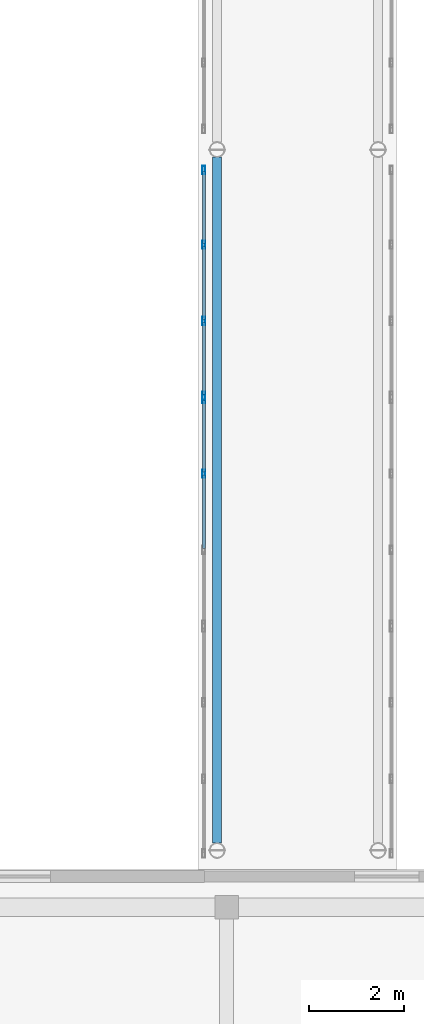
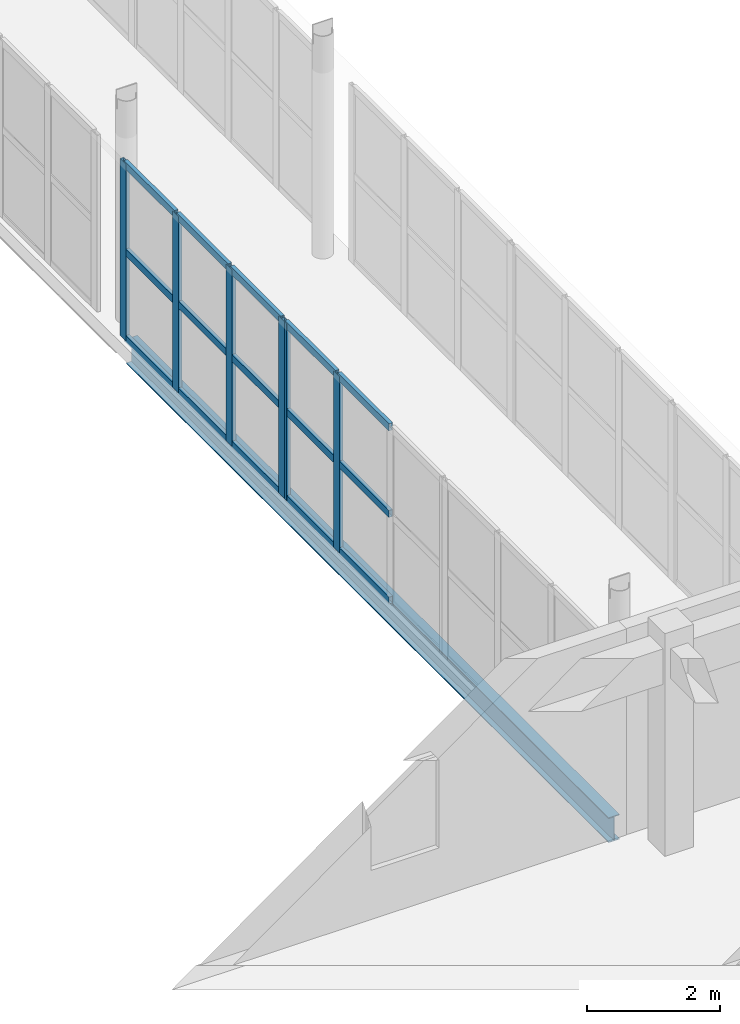
# One storey, part 15 of 52: 21 members, 1 beam, 2 elements without a shape of their own.
"""IFC4 building model written with IfcOpenShell, lengths in metres."""

from ifc_helpers import new_model, si_unit, direction, frame, origin, origin_2d, place, context, subcontext, project, spatial, hollow_rectangle, i_section, extrude, material, layer, layer_set, material_profile, profile_set, type_object, element, aggregate, save


model = new_model("IFC4")

# Units and contexts
model_context = context("Model", 3, precision=1e-05, world=origin(), true_north=direction((0.0, 1.0)))
body_context = subcontext(model_context, "Body", "Model", "MODEL_VIEW")
ifc_project = project(units=[si_unit("LENGTHUNIT", "METRE"), si_unit("AREAUNIT", "SQUARE_METRE"), si_unit("VOLUMEUNIT", "CUBIC_METRE"), si_unit("PLANEANGLEUNIT", "RADIAN"), si_unit("MASSUNIT", "GRAM", prefix="KILO")], contexts=[model_context])

# Site, building, storey
site_placement = place(None, origin())
site = spatial("IfcSite", under=ifc_project, at=site_placement, CompositionType="ELEMENT")
building_placement = place(site_placement, origin())
building = spatial("IfcBuilding", under=site, at=building_placement, Name="Valcora Specialist Clinic", CompositionType="ELEMENT")
storey_placement = place(building_placement, frame((0.0, 0.0, 17.679931640625)))
storey = spatial("IfcBuildingStorey", under=building, at=storey_placement, Name="L04", CompositionType="ELEMENT", Elevation=17.679931640625)

# Beam
ifc_material_1 = material(Name="Steel ASTM A992 Grade 50", Category="steel")
ifc_material_profile_1 = material_profile(ifc_material_1, i_section(OverallWidth=0.18994140625, OverallDepth=0.45703125, WebThickness=0.009033203125, FlangeThickness=0.014892578125, at=origin_2d()), Name="ST-IR-460X190")
ifc_profile_set_1 = profile_set([ifc_material_profile_1], Name="Steel ASTM A992 Grade 50")
beam_type = type_object("IfcBeamType", Name="TY-BG-IR460", PredefinedType="HOLLOWCORE", material=ifc_profile_set_1)
beam_placement = place(storey_placement, frame((61.60009765625, 23.360107421875, -0.482421875), z_axis=(0.0, 1.0, 0.0), x_axis=(-1.0, 0.0, 0.0)))
element("IfcBeam", 1, at=beam_placement, inside=storey, type_object=beam_type, Name="Bridge girder BM-L04-1630", PredefinedType="HOLLOWCORE", context=body_context, shape_type="SweptSolid", body=[
    extrude(i_section(OverallWidth=0.18994140625, OverallDepth=0.45703125, WebThickness=0.009033203125, FlangeThickness=0.014892578125, at=origin_2d()), origin(), (0.0, 0.0, 1.0), 14.47998046875),
])

# Curtain wall, members
ifc_material_2 = material(Name="Anodized Bronze Aluminium 6063-T6", Category="aluminium")
ifc_layer = layer(ifc_material_2, 0.175048828125)
ifc_layer_set = layer_set([ifc_layer], Name="Anodized Bronze Aluminium 6063-T6")
curtain_wall_type = type_object("IfcCurtainWallType", Name="TY-CW-BRG14", PredefinedType="NOTDEFINED", material=ifc_layer_set)
curtain_wall_1_placement = place(storey_placement, origin())
curtain_wall_1 = element("IfcCurtainWall", 2, at=curtain_wall_1_placement, inside=storey, type_object=curtain_wall_type, Name="Curtain wall CW-L04-268", PredefinedType="NOTDEFINED")
ifc_material_profile_2 = material_profile(ifc_material_2, hollow_rectangle(XDim=0.06494140625, YDim=0.175048828125, WallThickness=0.00390625, at=origin_2d()), Name="AL-MUL-65X175")
ifc_profile_set_2 = profile_set([ifc_material_profile_2], Name="Anodized Bronze Aluminium 6063-T6")
member_type_1 = type_object("IfcMemberType", Name="TY-CWM-65X175", PredefinedType="MULLION", material=ifc_profile_set_2)
member_1_placement = place(storey_placement, frame((61.320068359375, 31.155517578125, 0.0), z_axis=(0.0, 0.0, 1.0), x_axis=(-1.0, 0.0, 0.0)))
member_1 = element("IfcMember", 3, at=member_1_placement, type_object=member_type_1, Name="CW-BRG-14 mullion 3", PredefinedType="MULLION", context=body_context, shape_type="SweptSolid", body=[
    extrude(hollow_rectangle(XDim=0.06494140625, YDim=0.175048828125, WallThickness=0.00390625, at=origin_2d()), origin(), (0.0, 0.0, 1.0), 3.239990234375),
])
member_2_placement = place(storey_placement, frame((61.320068359375, 32.734130859375, 0.0), z_axis=(0.0, 0.0, 1.0), x_axis=(-1.0, 0.0, 0.0)))
member_2 = element("IfcMember", 4, at=member_2_placement, type_object=member_type_1, Name="CW-BRG-14 mullion 4", PredefinedType="MULLION", context=body_context, shape_type="SweptSolid", body=[
    extrude(hollow_rectangle(XDim=0.06494140625, YDim=0.175048828125, WallThickness=0.00390625, at=origin_2d()), origin(), (0.0, 0.0, 1.0), 3.239990234375),
])

curtain_wall_2_placement = place(storey_placement, origin())
curtain_wall_2 = element("IfcCurtainWall", 5, at=curtain_wall_2_placement, inside=storey, type_object=curtain_wall_type, Name="Curtain wall CW-L04-269", PredefinedType="NOTDEFINED")
member_3_placement = place(storey_placement, frame((61.320068359375, 32.79931640625, 0.0), z_axis=(0.0, 0.0, 1.0), x_axis=(-1.0, 0.0, 0.0)))
member_3 = element("IfcMember", 6, at=member_3_placement, type_object=member_type_1, Name="CW-BRG-14 mullion 1", PredefinedType="MULLION", context=body_context, shape_type="SweptSolid", body=[
    extrude(hollow_rectangle(XDim=0.06494140625, YDim=0.175048828125, WallThickness=0.00390625, at=origin_2d()), origin(), (0.0, 0.0, 1.0), 3.239990234375),
])
member_4_placement = place(storey_placement, frame((61.320068359375, 34.377685546875, 0.0), z_axis=(0.0, 0.0, 1.0), x_axis=(-1.0, 0.0, 0.0)))
member_4 = element("IfcMember", 7, at=member_4_placement, type_object=member_type_1, Name="CW-BRG-14 mullion 2", PredefinedType="MULLION", context=body_context, shape_type="SweptSolid", body=[
    extrude(hollow_rectangle(XDim=0.06494140625, YDim=0.175048828125, WallThickness=0.00390625, at=origin_2d()), origin(), (0.0, 0.0, 1.0), 3.239990234375),
])
member_5_placement = place(storey_placement, frame((61.320068359375, 35.989013671875, 0.0), z_axis=(0.0, 0.0, 1.0), x_axis=(-1.0, 0.0, 0.0)))
member_5 = element("IfcMember", 8, at=member_5_placement, type_object=member_type_1, Name="CW-BRG-14 mullion 3", PredefinedType="MULLION", context=body_context, shape_type="SweptSolid", body=[
    extrude(hollow_rectangle(XDim=0.06494140625, YDim=0.175048828125, WallThickness=0.00390625, at=origin_2d()), origin(), (0.0, 0.0, 1.0), 3.239990234375),
])
member_6_placement = place(storey_placement, frame((61.320068359375, 37.5673828125, 0.0), z_axis=(0.0, 0.0, 1.0), x_axis=(-1.0, 0.0, 0.0)))
member_6 = element("IfcMember", 9, at=member_6_placement, type_object=member_type_1, Name="CW-BRG-14 mullion 4", PredefinedType="MULLION", context=body_context, shape_type="SweptSolid", body=[
    extrude(hollow_rectangle(XDim=0.06494140625, YDim=0.175048828125, WallThickness=0.00390625, at=origin_2d()), origin(), (0.0, 0.0, 1.0), 3.239990234375),
])

# Member
ifc_material_profile_3 = material_profile(ifc_material_2, hollow_rectangle(XDim=0.06494140625, YDim=0.1298828125, WallThickness=0.00390625, at=origin_2d()), Name="AL-TRN-65X130")
ifc_profile_set_3 = profile_set([ifc_material_profile_3], Name="Anodized Bronze Aluminium 6063-T6")
member_type_2 = type_object("IfcMemberType", Name="TY-CWT-65X130", PredefinedType="USERDEFINED", material=ifc_profile_set_3)
member_7_placement = place(storey_placement, frame((61.320068359375, 29.576904296875, 0.032470703125), z_axis=(0.0, 1.0, 0.0), x_axis=(-1.0, 0.0, 0.0)))
member_7 = element("IfcMember", 10, at=member_7_placement, type_object=member_type_2, Name="CW-BRG-14 transom 2.1", ObjectType="TRANSOM", PredefinedType="USERDEFINED", context=body_context, shape_type="SweptSolid", body=[
    extrude(hollow_rectangle(XDim=0.06494140625, YDim=0.1298828125, WallThickness=0.00390625, at=origin_2d()), origin(), (0.0, 0.0, 1.0), 1.546142578125),
])

member_8_placement = place(storey_placement, frame((61.320068359375, 29.576904296875, 1.6201171875), z_axis=(0.0, 1.0, 0.0), x_axis=(-1.0, 0.0, 0.0)))
member_8 = element("IfcMember", 11, at=member_8_placement, type_object=member_type_2, Name="CW-BRG-14 transom 2.2", ObjectType="TRANSOM", PredefinedType="USERDEFINED", context=body_context, shape_type="SweptSolid", body=[
    extrude(hollow_rectangle(XDim=0.06494140625, YDim=0.1298828125, WallThickness=0.00390625, at=origin_2d()), origin(), (0.0, 0.0, 1.0), 1.546142578125),
])

member_9_placement = place(storey_placement, frame((61.320068359375, 29.576904296875, 3.20751953125), z_axis=(0.0, 1.0, 0.0), x_axis=(-1.0, 0.0, 0.0)))
member_9 = element("IfcMember", 12, at=member_9_placement, type_object=member_type_2, Name="CW-BRG-14 transom 2.3", ObjectType="TRANSOM", PredefinedType="USERDEFINED", context=body_context, shape_type="SweptSolid", body=[
    extrude(hollow_rectangle(XDim=0.06494140625, YDim=0.1298828125, WallThickness=0.00390625, at=origin_2d()), origin(), (0.0, 0.0, 1.0), 1.546142578125),
])

member_10_placement = place(storey_placement, frame((61.320068359375, 31.18798828125, 0.032470703125), z_axis=(0.0, 1.0, 0.0), x_axis=(-1.0, 0.0, 0.0)))
member_10 = element("IfcMember", 13, at=member_10_placement, type_object=member_type_2, Name="CW-BRG-14 transom 3.1", ObjectType="TRANSOM", PredefinedType="USERDEFINED", context=body_context, shape_type="SweptSolid", body=[
    extrude(hollow_rectangle(XDim=0.06494140625, YDim=0.1298828125, WallThickness=0.00390625, at=origin_2d()), origin(), (0.0, 0.0, 1.0), 1.513671875),
])

member_11_placement = place(storey_placement, frame((61.320068359375, 31.18798828125, 1.6201171875), z_axis=(0.0, 1.0, 0.0), x_axis=(-1.0, 0.0, 0.0)))
member_11 = element("IfcMember", 14, at=member_11_placement, type_object=member_type_2, Name="CW-BRG-14 transom 3.2", ObjectType="TRANSOM", PredefinedType="USERDEFINED", context=body_context, shape_type="SweptSolid", body=[
    extrude(hollow_rectangle(XDim=0.06494140625, YDim=0.1298828125, WallThickness=0.00390625, at=origin_2d()), origin(), (0.0, 0.0, 1.0), 1.513671875),
])

member_12_placement = place(storey_placement, frame((61.320068359375, 31.18798828125, 3.20751953125), z_axis=(0.0, 1.0, 0.0), x_axis=(-1.0, 0.0, 0.0)))
member_12 = element("IfcMember", 15, at=member_12_placement, type_object=member_type_2, Name="CW-BRG-14 transom 3.3", ObjectType="TRANSOM", PredefinedType="USERDEFINED", context=body_context, shape_type="SweptSolid", body=[
    extrude(hollow_rectangle(XDim=0.06494140625, YDim=0.1298828125, WallThickness=0.00390625, at=origin_2d()), origin(), (0.0, 0.0, 1.0), 1.513671875),
])

aggregate(curtain_wall_1, [member_1, member_2, member_7, member_8, member_9, member_10, member_11, member_12])

member_13_placement = place(storey_placement, frame((61.320068359375, 32.831787109375, 0.032470703125), z_axis=(0.0, 1.0, 0.0), x_axis=(-1.0, 0.0, 0.0)))
member_13 = element("IfcMember", 16, at=member_13_placement, type_object=member_type_2, Name="CW-BRG-14 transom 1.1", ObjectType="TRANSOM", PredefinedType="USERDEFINED", context=body_context, shape_type="SweptSolid", body=[
    extrude(hollow_rectangle(XDim=0.06494140625, YDim=0.1298828125, WallThickness=0.00390625, at=origin_2d()), origin(), (0.0, 0.0, 1.0), 1.513427734375),
])

member_14_placement = place(storey_placement, frame((61.320068359375, 32.831787109375, 1.6201171875), z_axis=(0.0, 1.0, 0.0), x_axis=(-1.0, 0.0, 0.0)))
member_14 = element("IfcMember", 17, at=member_14_placement, type_object=member_type_2, Name="CW-BRG-14 transom 1.2", ObjectType="TRANSOM", PredefinedType="USERDEFINED", context=body_context, shape_type="SweptSolid", body=[
    extrude(hollow_rectangle(XDim=0.06494140625, YDim=0.1298828125, WallThickness=0.00390625, at=origin_2d()), origin(), (0.0, 0.0, 1.0), 1.513427734375),
])

member_15_placement = place(storey_placement, frame((61.320068359375, 32.831787109375, 3.20751953125), z_axis=(0.0, 1.0, 0.0), x_axis=(-1.0, 0.0, 0.0)))
member_15 = element("IfcMember", 18, at=member_15_placement, type_object=member_type_2, Name="CW-BRG-14 transom 1.3", ObjectType="TRANSOM", PredefinedType="USERDEFINED", context=body_context, shape_type="SweptSolid", body=[
    extrude(hollow_rectangle(XDim=0.06494140625, YDim=0.1298828125, WallThickness=0.00390625, at=origin_2d()), origin(), (0.0, 0.0, 1.0), 1.513427734375),
])

member_16_placement = place(storey_placement, frame((61.320068359375, 34.410400390625, 0.032470703125), z_axis=(0.0, 1.0, 0.0), x_axis=(-1.0, 0.0, 0.0)))
member_16 = element("IfcMember", 19, at=member_16_placement, type_object=member_type_2, Name="CW-BRG-14 transom 2.1", ObjectType="TRANSOM", PredefinedType="USERDEFINED", context=body_context, shape_type="SweptSolid", body=[
    extrude(hollow_rectangle(XDim=0.06494140625, YDim=0.1298828125, WallThickness=0.00390625, at=origin_2d()), origin(), (0.0, 0.0, 1.0), 1.5458984375),
])

member_17_placement = place(storey_placement, frame((61.320068359375, 34.410400390625, 1.6201171875), z_axis=(0.0, 1.0, 0.0), x_axis=(-1.0, 0.0, 0.0)))
member_17 = element("IfcMember", 20, at=member_17_placement, type_object=member_type_2, Name="CW-BRG-14 transom 2.2", ObjectType="TRANSOM", PredefinedType="USERDEFINED", context=body_context, shape_type="SweptSolid", body=[
    extrude(hollow_rectangle(XDim=0.06494140625, YDim=0.1298828125, WallThickness=0.00390625, at=origin_2d()), origin(), (0.0, 0.0, 1.0), 1.5458984375),
])

member_18_placement = place(storey_placement, frame((61.320068359375, 34.410400390625, 3.20751953125), z_axis=(0.0, 1.0, 0.0), x_axis=(-1.0, 0.0, 0.0)))
member_18 = element("IfcMember", 21, at=member_18_placement, type_object=member_type_2, Name="CW-BRG-14 transom 2.3", ObjectType="TRANSOM", PredefinedType="USERDEFINED", context=body_context, shape_type="SweptSolid", body=[
    extrude(hollow_rectangle(XDim=0.06494140625, YDim=0.1298828125, WallThickness=0.00390625, at=origin_2d()), origin(), (0.0, 0.0, 1.0), 1.5458984375),
])

member_19_placement = place(storey_placement, frame((61.320068359375, 36.021484375, 0.032470703125), z_axis=(0.0, 1.0, 0.0), x_axis=(-1.0, 0.0, 0.0)))
member_19 = element("IfcMember", 22, at=member_19_placement, type_object=member_type_2, Name="CW-BRG-14 transom 3.1", ObjectType="TRANSOM", PredefinedType="USERDEFINED", context=body_context, shape_type="SweptSolid", body=[
    extrude(hollow_rectangle(XDim=0.06494140625, YDim=0.1298828125, WallThickness=0.00390625, at=origin_2d()), origin(), (0.0, 0.0, 1.0), 1.513427734375),
])

member_20_placement = place(storey_placement, frame((61.320068359375, 36.021484375, 1.6201171875), z_axis=(0.0, 1.0, 0.0), x_axis=(-1.0, 0.0, 0.0)))
member_20 = element("IfcMember", 23, at=member_20_placement, type_object=member_type_2, Name="CW-BRG-14 transom 3.2", ObjectType="TRANSOM", PredefinedType="USERDEFINED", context=body_context, shape_type="SweptSolid", body=[
    extrude(hollow_rectangle(XDim=0.06494140625, YDim=0.1298828125, WallThickness=0.00390625, at=origin_2d()), origin(), (0.0, 0.0, 1.0), 1.513427734375),
])

member_21_placement = place(storey_placement, frame((61.320068359375, 36.021484375, 3.20751953125), z_axis=(0.0, 1.0, 0.0), x_axis=(-1.0, 0.0, 0.0)))
member_21 = element("IfcMember", 24, at=member_21_placement, type_object=member_type_2, Name="CW-BRG-14 transom 3.3", ObjectType="TRANSOM", PredefinedType="USERDEFINED", context=body_context, shape_type="SweptSolid", body=[
    extrude(hollow_rectangle(XDim=0.06494140625, YDim=0.1298828125, WallThickness=0.00390625, at=origin_2d()), origin(), (0.0, 0.0, 1.0), 1.513427734375),
])

aggregate(curtain_wall_2, [member_3, member_4, member_5, member_6, member_13, member_14, member_15, member_16, member_17, member_18, member_19, member_20, member_21])

save(model, "model.ifc")
